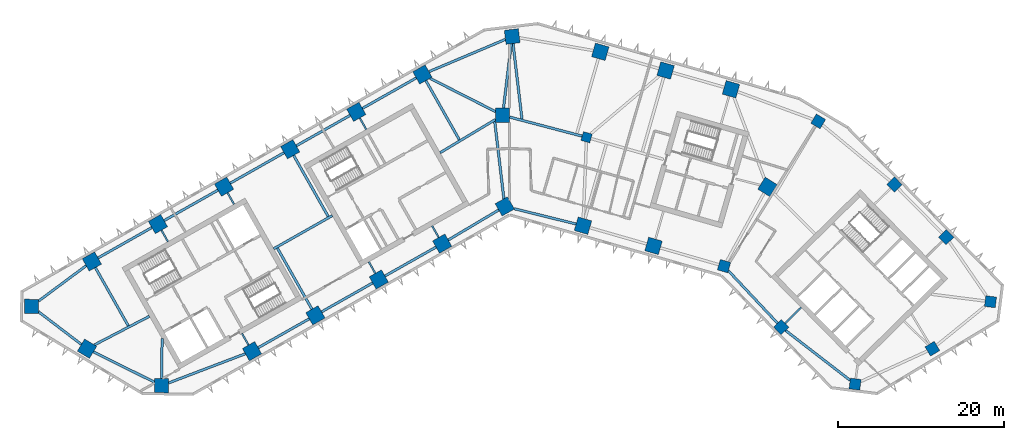
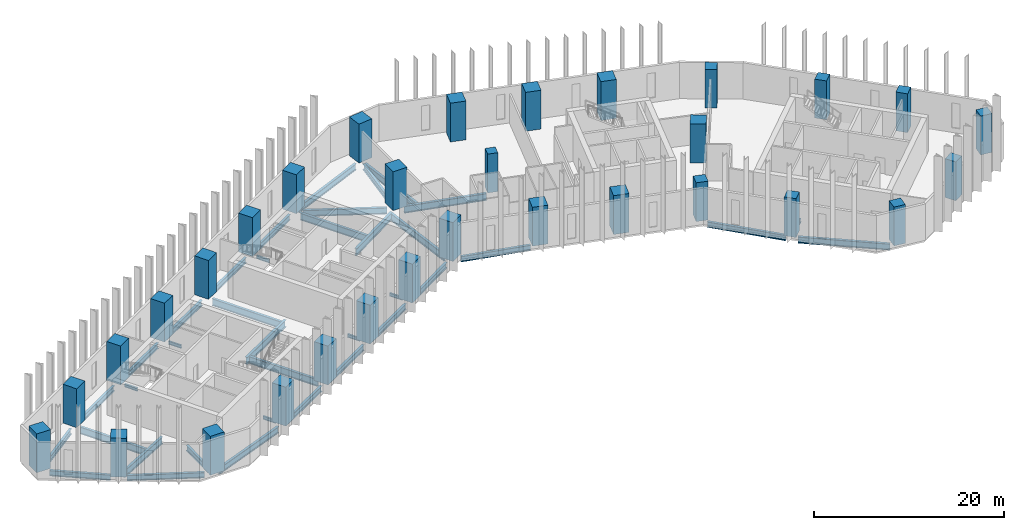
# One storey, part 1 of 11: 37 beams, 31 columns.
"""IFC4 building model written with IfcOpenShell, lengths in metres."""

import ifcopenshell
import ifcopenshell.guid

model = None  # the IFC model being written
_history = None  # IfcOwnerHistory: only IFC2X3 demands one
_inside = {}  # id of a spatial element -> (the spatial element, [elements in it])
_under = {}  # id of a project, library or spatial element -> (it, [spatial elements below it])
_declared = {}  # id of a project -> (the project, [libraries it declares])
_typed = {}  # id of a type object -> (the type object, [elements of that type])
_made_of = {}  # id of a material, layer set ... -> (it, [elements and type objects made of it])


def new_model(schema):
    """Start an empty IFC model of exactly this schema.

    Asked for "IFC4X3", IfcOpenShell would pick the latest addendum, in which some entities
    have other attributes; the version numbers below select the first issue.
    IFC2X3 requires an IfcOwnerHistory on every rooted entity: one is made here for all.
    """
    global model, _history
    if schema == "IFC4X3":
        model = ifcopenshell.file(schema_version=(4, 3, 0, 0))
    else:
        model = ifcopenshell.file(schema=schema)
    _inside.clear()
    _under.clear()
    _declared.clear()
    _typed.clear()
    _made_of.clear()
    _history = None
    if model.schema == "IFC2X3":
        org = make("IfcOrganization", Name="unknown")
        user = make(
            "IfcPersonAndOrganization",
            ThePerson=make("IfcPerson", FamilyName="unknown"),
            TheOrganization=org,
        )
        app = make(
            "IfcApplication",
            ApplicationDeveloper=org,
            Version="unknown",
            ApplicationFullName="unknown",
            ApplicationIdentifier="unknown",
        )
        _history = make(
            "IfcOwnerHistory",
            OwningUser=user,
            OwningApplication=app,
            ChangeAction="ADDED",
            CreationDate=0,
        )
    return model


def make(cls, **values):
    """One entity of the class cls with the attributes given. An attribute that is None is left unset."""
    return model.create_entity(
        cls, **{name: value for name, value in values.items() if value is not None}
    )


def rooted(cls, **values):
    """An entity with a GlobalId (a new one), such as an element, a storey or a relation."""
    return make(cls, GlobalId=ifcopenshell.guid.new(), OwnerHistory=_history, **values)


def si_unit(unit_type, name, prefix=None):
    """IfcSIUnit, for example si_unit("LENGTHUNIT", "METRE", prefix="MILLI")."""
    return make("IfcSIUnit", UnitType=unit_type, Prefix=prefix, Name=name)


def assignment(units):
    """IfcUnitAssignment: the units of a project."""
    return None if units is None else make("IfcUnitAssignment", Units=units)


def point(xyz):
    """IfcCartesianPoint."""
    return None if xyz is None else make("IfcCartesianPoint", Coordinates=xyz)


def direction(xyz):
    """IfcDirection."""
    return None if xyz is None else make("IfcDirection", DirectionRatios=xyz)


def frame(location, z_axis=None, x_axis=None):
    """IfcAxis2Placement3D, a coordinate frame: its origin and axes. An axis left out is left unset."""
    return make(
        "IfcAxis2Placement3D",
        Location=point(location),
        Axis=direction(z_axis),
        RefDirection=direction(x_axis),
    )


def frame_2d(location, x_axis=None):
    """IfcAxis2Placement2D, a coordinate frame in the plane: its origin and x axis."""
    return make(
        "IfcAxis2Placement2D", Location=point(location), RefDirection=direction(x_axis)
    )


def origin():
    """The frame at (0, 0, 0) with its axes left unset."""
    return frame((0.0, 0.0, 0.0))


def origin_2d():
    """The frame at (0, 0) in the plane with its x axis left unset."""
    return frame_2d((0.0, 0.0))


def place(relative_to, where):
    """IfcLocalPlacement: puts the frame where relative to a parent placement (None: the world)."""
    return make(
        "IfcLocalPlacement", PlacementRelTo=relative_to, RelativePlacement=where
    )


def context(
    kind, dimensions, precision=None, world=None, true_north=None, identifier=None
):
    """IfcGeometricRepresentationContext, for example the 3D "Model" context."""
    return make(
        "IfcGeometricRepresentationContext",
        ContextIdentifier=identifier,
        ContextType=kind,
        CoordinateSpaceDimension=dimensions,
        Precision=precision,
        WorldCoordinateSystem=world,
        TrueNorth=true_north,
    )


def subcontext(parent, identifier, kind, view, scale=None):
    """IfcGeometricRepresentationSubContext, for example "Body" below "Model"."""
    return make(
        "IfcGeometricRepresentationSubContext",
        ContextIdentifier=identifier,
        ContextType=kind,
        ParentContext=parent,
        TargetScale=scale,
        TargetView=view,
    )


def project(units=None, contexts=None):
    """IfcProject with its units and contexts."""
    return rooted(
        "IfcProject",
        Name="project",
        RepresentationContexts=contexts,
        UnitsInContext=assignment(units),
    )


def spatial(cls, under=None, at=None, **own):
    """A site, building, storey or space (cls), placed at a placement, below another one or the project."""
    s = rooted(cls, ObjectPlacement=at, **own)
    if under is not None:
        _under.setdefault(under.id(), (under, []))[1].append(s)
    return s


def profile(cls, at=None, kind="AREA", **sizes):
    """A parametric profile (cls). Its sizes go by their IFC names, for example OverallWidth=200.0."""
    return make(cls, ProfileType=kind, Position=at, **sizes)


def rectangle(**sizes):
    """IfcRectangleProfileDef."""
    return profile("IfcRectangleProfileDef", **sizes)


def i_section(**sizes):
    """IfcIShapeProfileDef."""
    return profile("IfcIShapeProfileDef", **sizes)


def extrude(swept, where, along, depth):
    """IfcExtrudedAreaSolid: the profile swept, set in the frame where, extruded along a direction by depth."""
    return make(
        "IfcExtrudedAreaSolid",
        SweptArea=swept,
        Position=where,
        ExtrudedDirection=direction(along),
        Depth=depth,
    )


def shape(context_of_items, identifier, shape_type, items):
    """IfcShapeRepresentation: the items that make up one representation, for example the "Body"."""
    return make(
        "IfcShapeRepresentation",
        ContextOfItems=context_of_items,
        RepresentationIdentifier=identifier,
        RepresentationType=shape_type,
        Items=items,
    )


def material(Name=None, Category=None):
    """IfcMaterial."""
    return make("IfcMaterial", Name=Name, Category=Category)


def material_profile(
    of_material, cross_section, Name=None, Category=None, Priority=None
):
    """IfcMaterialProfile: a cross section and its material."""
    return make(
        "IfcMaterialProfile",
        Name=Name,
        Material=of_material,
        Profile=cross_section,
        Priority=Priority,
        Category=Category,
    )


def profile_set(profiles, Name=None, composite=None):
    """IfcMaterialProfileSet."""
    return make(
        "IfcMaterialProfileSet",
        Name=Name,
        MaterialProfiles=profiles,
        CompositeProfile=composite,
    )


def made_of(thing, what):
    """Note that an element or type object is made of a material, layer set ...; save() writes the relation."""
    if what is not None:
        _made_of.setdefault(what.id(), (what, []))[1].append(thing)
    return thing


def type_object(cls, material=None, **own):
    """A type object (cls), such as IfcWallType, which elements share."""
    return made_of(rooted(cls, **own), material)


def element(
    cls,
    number,
    at=None,
    inside=None,
    cuts=None,
    type_object=None,
    material=None,
    context=None,
    identifier="Body",
    shape_type=None,
    held_by="IfcProductDefinitionShape",
    body=None,
    shapes=None,
    **own,
):
    """One element of the class cls, such as IfcWall. Its Tag is "e" and its number.

    at: its placement. inside: the storey or other place that contains it. cuts: it is an
    opening in that element (IfcRelVoidsElement). A single representation is given by context,
    identifier, shape_type and body (its items); several are given by shapes. held_by: the class
    of the entity that holds the representations. save() writes the other relations.
    """
    e = rooted(cls, Tag="e%d" % number, ObjectPlacement=at, **own)
    if body is not None:
        shapes = [shape(context, identifier, shape_type, body)]
    if shapes is not None:
        e.Representation = make(held_by, Representations=shapes)
    if inside is not None:
        _inside.setdefault(inside.id(), (inside, []))[1].append(e)
    if cuts is not None:
        rooted(
            "IfcRelVoidsElement", RelatingBuildingElement=cuts, RelatedOpeningElement=e
        )
    if type_object is not None:
        _typed.setdefault(type_object.id(), (type_object, []))[1].append(e)
    return made_of(e, material)


def aggregate(whole, parts):
    """IfcRelAggregates: a whole, such as a stair, and the parts it consists of."""
    return rooted("IfcRelAggregates", RelatingObject=whole, RelatedObjects=parts)


def save(model, path):
    """Write the relations noted so far, then the file.

    IfcRelAggregates (storeys below a building ...), IfcRelContainedInSpatialStructure (elements
    in a storey), IfcRelDefinesByType, IfcRelAssociatesMaterial and IfcRelDeclares: one each for
    every whole, place, type object, material and project.
    """
    for whole, parts in _under.values():
        aggregate(whole, parts)
    for where, things in _inside.values():
        rooted(
            "IfcRelContainedInSpatialStructure",
            RelatedElements=things,
            RelatingStructure=where,
        )
    for kind, things in _typed.values():
        rooted("IfcRelDefinesByType", RelatedObjects=things, RelatingType=kind)
    for what, things in _made_of.values():
        rooted("IfcRelAssociatesMaterial", RelatedObjects=things, RelatingMaterial=what)
    for by, libraries in _declared.values():
        rooted("IfcRelDeclares", RelatingContext=by, RelatedDefinitions=libraries)
    model.write(path)


model = new_model("IFC4")

# Units and contexts
model_context = context("Model", 3, precision=1e-05, world=origin(), true_north=direction((0.0, 1.0)))
body_context = subcontext(model_context, "Body", "Model", "MODEL_VIEW")
ifc_project = project(units=[si_unit("LENGTHUNIT", "METRE"), si_unit("AREAUNIT", "SQUARE_METRE"), si_unit("VOLUMEUNIT", "CUBIC_METRE"), si_unit("PLANEANGLEUNIT", "RADIAN"), si_unit("MASSUNIT", "GRAM", prefix="KILO")], contexts=[model_context])

# Site, building, storey
site_placement = place(None, origin())
site = spatial("IfcSite", under=ifc_project, at=site_placement, CompositionType="ELEMENT")
building_placement = place(site_placement, origin())
building = spatial("IfcBuilding", under=site, at=building_placement, Name="Binnacle Exchange Tower", CompositionType="ELEMENT")
storey_placement = place(building_placement, frame((0.0, 0.0, 36.5)))
storey = spatial("IfcBuildingStorey", under=building, at=storey_placement, Name="L07", CompositionType="ELEMENT", Elevation=36.5)

# Columns
ifc_material_1 = material(Name="Concrete C60/75", Category="concrete")
ifc_material_profile_1 = material_profile(ifc_material_1, rectangle(XDim=1.10009765625, YDim=1.10009765625, at=origin_2d()), Name="Column 1100x1100 C60/75")
ifc_profile_set_1 = profile_set([ifc_material_profile_1], Name="Concrete C60/75")
column_type_1 = type_object("IfcColumnType", Name="Column 1100x1100 C60/75", PredefinedType="COLUMN", material=ifc_profile_set_1)
column_placement = place(storey_placement, frame((9.240966796875, 57.35009765625, 0.0), z_axis=(0.0, 0.0, 1.0), x_axis=(0.961261695938, -0.275637355817, 0.0)))
element("IfcColumn", 1, at=column_placement, inside=storey, type_object=column_type_1, Name="S:COL:C19:L07", PredefinedType="COLUMN", context=body_context, shape_type="SweptSolid", body=[
    extrude(rectangle(XDim=1.10009765625, YDim=1.10009765625, at=origin_2d()), origin(), (0.0, 0.0, 1.0), 5.0),
])
ifc_material_2 = material(Name="Concrete C70/85", Category="concrete")
ifc_material_profile_2 = material_profile(ifc_material_2, rectangle(XDim=1.300048828125, YDim=1.300048828125, at=origin_2d()), Name="Mega column 1300x1300 C70/85")
ifc_profile_set_2 = profile_set([ifc_material_profile_2], Name="Concrete C70/85")
column_type_2 = type_object("IfcColumnType", Name="Mega column 1300x1300 C70/85", PredefinedType="COLUMN", material=ifc_profile_set_2)
for number, where, z_axis, x_axis, name in (
    (2, (37.0849609375, 59.262451171875, 0.0), (0.0, 0.0, 1.0), (-0.859406411501, 0.511293086077, 0.0), "S:COL:MC57:L07"),
    (3, (25.766845703125, 41.85986328125, 0.0), (0.0, 0.0, 1.0), (0.961261695938, -0.275637355817, 0.0), "S:COL:MC56:L07"),
    (4, (32.64111328125, 34.530029296875, 0.0), (0.0, 0.0, 1.0), (0.7009092643, -0.713250449154, 0.0), "S:COL:MC59:L07"),
    (5, (41.519775390625, 27.6748046875, 0.0), (0.0, 0.0, 1.0), (0.99200494968, -0.126198969136, 0.0), "S:COL:MC61:L07"),
    (6, (50.81201171875, 31.930908203125, 0.0), (0.0, 0.0, 1.0), (0.857167300702, 0.51503807491, 0.0), "S:COL:MC63:L07"),
    (7, (57.799072265625, 37.5810546875, 0.0), (0.0, 0.0, 1.0), (0.126198969136, 0.99200494968, 0.0), "S:COL:MC62:L07"),
    (8, (52.466796875, 45.33935546875, 0.0), (0.0, 0.0, 1.0), (-0.7009092643, 0.713250449154, 0.0), "S:COL:MC60:L07"),
    (9, (46.248291015625, 51.667236328125, 0.0), (0.0, 0.0, 1.0), (-0.7009092643, 0.713250449154, 0.0), "S:COL:MC58:L07"),
):
    element("IfcColumn", number, at=place(storey_placement, frame(where, z_axis=z_axis, x_axis=x_axis)), inside=storey, type_object=column_type_2, Name=name, PredefinedType="COLUMN", context=body_context, shape_type="SweptSolid", body=[
        extrude(rectangle(XDim=1.300048828125, YDim=1.300048828125, at=origin_2d()), origin(), (0.0, 0.0, 1.0), 5.0),
    ])
ifc_material_profile_3 = material_profile(ifc_material_2, rectangle(XDim=1.699951171875, YDim=1.699951171875, at=origin_2d()), Name="Mega column 1700x1700 C70/85")
ifc_profile_set_3 = profile_set([ifc_material_profile_3], Name="Concrete C70/85")
column_type_3 = type_object("IfcColumnType", Name="Mega column 1700x1700 C70/85", PredefinedType="COLUMN", material=ifc_profile_set_3)
for number, where, z_axis, x_axis, name in (
    (10, (26.602783203125, 63.12353515625, 0.0), (0.0, 0.0, 1.0), (-0.961261695938, 0.275637355817, 0.0), "S:COL:MC52:L07"),
    (11, (18.746337890625, 65.376220703125, 0.0), (0.0, 0.0, 1.0), (-0.961261695938, 0.275637355817, 0.0), "S:COL:MC50:L07"),
    (12, (10.889892578125, 67.62890625, 0.0), (0.0, 0.0, 1.0), (-0.961261695938, 0.275637355817, 0.0), "S:COL:MC48:L07"),
    (13, (0.300048828125, 69.464111328125, 0.0), (0.0, 0.0, 1.0), (-0.993068456955, -0.117537397458, 0.0), "S:COL:MC47:L07"),
    (14, (-10.4951171875, 64.901611328125, 0.0), (0.0, 0.0, 1.0), (-0.87035569594, -0.492423560103, 0.0), "S:COL:MC38:L07"),
    (15, (-18.44140625, 60.406005859375, 0.0), (0.0, 0.0, 1.0), (-0.87035569594, -0.492423560103, 0.0), "S:COL:MC29:L07"),
    (16, (-26.3876953125, 55.91015625, 0.0), (0.0, 0.0, 1.0), (-0.87035569594, -0.492423560103, 0.0), "S:COL:MC21:L07"),
    (17, (-34.333740234375, 51.414306640625, 0.0), (0.0, 0.0, 1.0), (-0.87035569594, -0.492423560103, 0.0), "S:COL:MC13:L07"),
    (18, (-42.280029296875, 46.918701171875, 0.0), (0.0, 0.0, 1.0), (-0.87035569594, -0.492423560103, 0.0), "S:COL:MC08:L07"),
    (19, (-50.226318359375, 42.4228515625, 0.0), (0.0, 0.0, 1.0), (-0.87035569594, -0.492423560103, 0.0), "S:COL:MC04:L07"),
    (20, (-57.492919921875, 37.02734375, 0.0), (0.0, 0.0, 1.0), (-0.013089595571, -0.999914327574, 0.0), "S:COL:MC02:L07"),
    (21, (-50.81201171875, 31.930908203125, 0.0), (0.0, 0.0, 1.0), (0.857167300702, -0.51503807491, 0.0), "S:COL:MC01:L07"),
    (22, (-41.857666015625, 27.494873046875, 0.0), (0.0, 0.0, 1.0), (0.999914327574, -0.013089595571, 0.0), "S:COL:MC03:L07"),
    (23, (-30.9755859375, 31.63525390625, 0.0), (0.0, 0.0, 1.0), (0.87035569594, 0.492423560103, 0.0), "S:COL:MC07:L07"),
    (24, (-23.35595703125, 35.9462890625, 0.0), (0.0, 0.0, 1.0), (0.87035569594, 0.492423560103, 0.0), "S:COL:MC16:L07"),
    (25, (-15.736328125, 40.257080078125, 0.0), (0.0, 0.0, 1.0), (0.87035569594, 0.492423560103, 0.0), "S:COL:MC24:L07"),
    (26, (-8.116943359375, 44.568115234375, 0.0), (0.0, 0.0, 1.0), (0.87035569594, 0.492423560103, 0.0), "S:COL:MC35:L07"),
    (27, (-0.5908203125, 49.04443359375, 0.0), (0.0, 0.0, 1.0), (0.87035569594, 0.492423560103, 0.0), "S:COL:MC46:L07"),
    (28, (8.8095703125, 46.722412109375, 0.0), (0.0, 0.0, 1.0), (0.961261695938, -0.275637355817, 0.0), "S:COL:MC49:L07"),
    (29, (17.2880859375, 44.291015625, 0.0), (0.0, 0.0, 1.0), (0.961261695938, -0.275637355817, 0.0), "S:COL:MC51:L07"),
    (30, (30.989501953125, 51.38623046875, 0.0), (0.0, 0.0, 1.0), (0.529919264233, 0.848048096156, 0.0), "S:COL:MC55:L07"),
    (31, (-0.85009765625, 60.0, 0.0), (0.0, 0.0, 1.0), (0.0, 1.0, 0.0), "S:COL:MC45:L07"),
):
    element("IfcColumn", number, at=place(storey_placement, frame(where, z_axis=z_axis, x_axis=x_axis)), inside=storey, type_object=column_type_3, Name=name, PredefinedType="COLUMN", context=body_context, shape_type="SweptSolid", body=[
        extrude(rectangle(XDim=1.699951171875, YDim=1.699951171875, at=origin_2d()), origin(), (0.0, 0.0, 1.0), 5.0),
    ])

# Beams
ifc_material_3 = material(Name="Steel S355 (SHN355)", Category="steel")
ifc_material_profile_4 = material_profile(ifc_material_3, i_section(OverallWidth=0.300048828125, OverallDepth=0.699951171875, WebThickness=0.012939453125, FlangeThickness=0.02392578125, FilletRadius=0.028076171875, at=origin_2d()), Name="H 700x300x13x24")
ifc_profile_set_4 = profile_set([ifc_material_profile_4], Name="Steel S355 (SHN355)")
beam_type_1 = type_object("IfcBeamType", Name="Edge girder H 700x300x13x24 Steel S355 (SHN355)", PredefinedType="SPANDREL", material=ifc_profile_set_4)
beam_1_placement = place(storey_placement, frame((-56.6513671875, 36.38525390625, -0.669921875), z_axis=(0.795093040263, -0.606487474994, 0.0), x_axis=(0.606487474994, 0.795093040263, 0.0)))
element("IfcBeam", 32, at=beam_1_placement, inside=storey, type_object=beam_type_1, Name="S:BM:edge:L07:015", PredefinedType="SPANDREL", context=body_context, shape_type="SweptSolid", body=[
    extrude(i_section(OverallWidth=0.300048828125, OverallDepth=0.699951171875, WebThickness=0.012939453125, FlangeThickness=0.02392578125, FilletRadius=0.028076171875, at=origin_2d()), origin(), (0.0, 0.0, 1.0), 6.489013671875),
])
beam_2_placement = place(storey_placement, frame((-50.913818359375, 41.912353515625, -0.669921875), z_axis=(-0.80288535334, -0.59613346609, 0.0), x_axis=(0.59613346609, -0.80288535334, 0.0)))
element("IfcBeam", 33, at=beam_2_placement, inside=storey, type_object=beam_type_1, Name="S:BM:edge:L07:016", PredefinedType="SPANDREL", context=body_context, shape_type="SweptSolid", body=[
    extrude(i_section(OverallWidth=0.300048828125, OverallDepth=0.699951171875, WebThickness=0.012939453125, FlangeThickness=0.02392578125, FilletRadius=0.028076171875, at=origin_2d()), origin(), (0.0, 0.0, 1.0), 7.125244140625),
])
beam_3_placement = place(storey_placement, frame((-43.019775390625, 46.5, -0.669921875), z_axis=(-0.870364477798, -0.492408037898, 0.0), x_axis=(0.492408037898, -0.870364477798, 0.0)))
element("IfcBeam", 34, at=beam_3_placement, inside=storey, type_object=beam_type_1, Name="S:BM:edge:L07:018", PredefinedType="SPANDREL", context=body_context, shape_type="SweptSolid", body=[
    extrude(i_section(OverallWidth=0.300048828125, OverallDepth=0.699951171875, WebThickness=0.012939453125, FlangeThickness=0.02392578125, FilletRadius=0.028076171875, at=origin_2d()), origin(), (0.0, 0.0, 1.0), 7.4296875),
])
beam_4_placement = place(storey_placement, frame((-35.073486328125, 50.995849609375, -0.669921875), z_axis=(-0.870372444894, -0.492393955253, 0.0), x_axis=(0.492393955253, -0.870372444894, 0.0)))
element("IfcBeam", 35, at=beam_4_placement, inside=storey, type_object=beam_type_1, Name="S:BM:edge:L07:020", PredefinedType="SPANDREL", context=body_context, shape_type="SweptSolid", body=[
    extrude(i_section(OverallWidth=0.300048828125, OverallDepth=0.699951171875, WebThickness=0.012939453125, FlangeThickness=0.02392578125, FilletRadius=0.028076171875, at=origin_2d()), origin(), (0.0, 0.0, 1.0), 7.429931640625),
])
beam_5_placement = place(storey_placement, frame((-30.23583984375, 32.053955078125, -0.669921875), z_axis=(0.870373276953, 0.492392484473, 0.0), x_axis=(-0.492392484473, 0.870373276953, 0.0)))
element("IfcBeam", 36, at=beam_5_placement, inside=storey, type_object=beam_type_1, Name="S:BM:edge:L07:021", PredefinedType="SPANDREL", context=body_context, shape_type="SweptSolid", body=[
    extrude(i_section(OverallWidth=0.300048828125, OverallDepth=0.699951171875, WebThickness=0.012939453125, FlangeThickness=0.02392578125, FilletRadius=0.028076171875, at=origin_2d()), origin(), (0.0, 0.0, 1.0), 7.0546875),
])
beam_6_placement = place(storey_placement, frame((-27.12744140625, 55.49169921875, -0.669921875), z_axis=(-0.870350394687, -0.492432929919, 0.0), x_axis=(0.492432929919, -0.870350394687, 0.0)))
element("IfcBeam", 37, at=beam_6_placement, inside=storey, type_object=beam_type_1, Name="S:BM:edge:L07:022", PredefinedType="SPANDREL", context=body_context, shape_type="SweptSolid", body=[
    extrude(i_section(OverallWidth=0.300048828125, OverallDepth=0.699951171875, WebThickness=0.012939453125, FlangeThickness=0.02392578125, FilletRadius=0.028076171875, at=origin_2d()), origin(), (0.0, 0.0, 1.0), 7.429931640625),
])
beam_7_placement = place(storey_placement, frame((-22.6162109375, 36.36474609375, -0.669921875), z_axis=(0.870350053651, 0.492433532681, 0.0), x_axis=(-0.492433532681, 0.870350053651, 0.0)))
element("IfcBeam", 38, at=beam_7_placement, inside=storey, type_object=beam_type_1, Name="S:BM:edge:L07:023", PredefinedType="SPANDREL", context=body_context, shape_type="SweptSolid", body=[
    extrude(i_section(OverallWidth=0.300048828125, OverallDepth=0.699951171875, WebThickness=0.012939453125, FlangeThickness=0.02392578125, FilletRadius=0.028076171875, at=origin_2d()), origin(), (0.0, 0.0, 1.0), 7.054443359375),
])
beam_8_placement = place(storey_placement, frame((-19.18115234375, 59.9873046875, -0.669921875), z_axis=(-0.870364477798, -0.492408037898, 0.0), x_axis=(0.492408037898, -0.870364477798, 0.0)))
element("IfcBeam", 39, at=beam_8_placement, inside=storey, type_object=beam_type_1, Name="S:BM:edge:L07:024", PredefinedType="SPANDREL", context=body_context, shape_type="SweptSolid", body=[
    extrude(i_section(OverallWidth=0.300048828125, OverallDepth=0.699951171875, WebThickness=0.012939453125, FlangeThickness=0.02392578125, FilletRadius=0.028076171875, at=origin_2d()), origin(), (0.0, 0.0, 1.0), 7.4296875),
])
beam_9_placement = place(storey_placement, frame((-14.99658203125, 40.67578125, -0.669921875), z_axis=(0.870364886025, 0.492407316329, 0.0), x_axis=(-0.492407316329, 0.870364886025, 0.0)))
element("IfcBeam", 40, at=beam_9_placement, inside=storey, type_object=beam_type_1, Name="S:BM:edge:L07:025", PredefinedType="SPANDREL", context=body_context, shape_type="SweptSolid", body=[
    extrude(i_section(OverallWidth=0.300048828125, OverallDepth=0.699951171875, WebThickness=0.012939453125, FlangeThickness=0.02392578125, FilletRadius=0.028076171875, at=origin_2d()), origin(), (0.0, 0.0, 1.0), 7.054443359375),
])
beam_10_placement = place(storey_placement, frame((-11.23486328125, 64.483154296875, -0.669921875), z_axis=(-0.870364477798, -0.492408037898, 0.0), x_axis=(0.492408037898, -0.870364477798, 0.0)))
element("IfcBeam", 41, at=beam_10_placement, inside=storey, type_object=beam_type_1, Name="S:BM:edge:L07:026", PredefinedType="SPANDREL", context=body_context, shape_type="SweptSolid", body=[
    extrude(i_section(OverallWidth=0.300048828125, OverallDepth=0.699951171875, WebThickness=0.012939453125, FlangeThickness=0.02392578125, FilletRadius=0.028076171875, at=origin_2d()), origin(), (0.0, 0.0, 1.0), 7.4296875),
])
beam_11_placement = place(storey_placement, frame((-7.38623046875, 45.002685546875, -0.669921875), z_axis=(0.859464815262, 0.511194905419, 0.0), x_axis=(-0.511194905419, 0.859464815262, 0.0)))
element("IfcBeam", 42, at=beam_11_placement, inside=storey, type_object=beam_type_1, Name="S:BM:edge:L07:027", PredefinedType="SPANDREL", context=body_context, shape_type="SweptSolid", body=[
    extrude(i_section(OverallWidth=0.300048828125, OverallDepth=0.699951171875, WebThickness=0.012939453125, FlangeThickness=0.02392578125, FilletRadius=0.028076171875, at=origin_2d()), origin(), (0.0, 0.0, 1.0), 7.056396484375),
])
beam_12_placement = place(storey_placement, frame((0.54443359375, 48.763916015625, -0.669921875), z_axis=(0.970818997342, -0.239813415805, 0.0), x_axis=(0.239813415805, 0.970818997342, 0.0)))
element("IfcBeam", 43, at=beam_12_placement, inside=storey, type_object=beam_type_1, Name="S:BM:edge:L07:029", PredefinedType="SPANDREL", context=body_context, shape_type="SweptSolid", body=[
    extrude(i_section(OverallWidth=0.300048828125, OverallDepth=0.699951171875, WebThickness=0.012939453125, FlangeThickness=0.02392578125, FilletRadius=0.028076171875, at=origin_2d()), origin(), (0.0, 0.0, 1.0), 7.662841796875),
])
ifc_material_profile_5 = material_profile(ifc_material_3, i_section(OverallWidth=0.302001953125, OverallDepth=0.7080078125, WebThickness=0.014892578125, FlangeThickness=0.028076171875, FilletRadius=0.028076171875, at=origin_2d()), Name="H 708x302x15x28")
ifc_profile_set_5 = profile_set([ifc_material_profile_5], Name="Steel S355 (SHN355)")
beam_type_2 = type_object("IfcBeamType", Name="Edge girder H 708x302x15x28 Steel S355 (SHN355)", PredefinedType="SPANDREL", material=ifc_profile_set_5)
beam_13_placement = place(storey_placement, frame((-50.0478515625, 31.55224609375, -0.674072265625), z_axis=(0.896059216286, -0.443934545749, 0.0), x_axis=(0.443934545749, 0.896059216286, 0.0)))
element("IfcBeam", 44, at=beam_13_placement, inside=storey, type_object=beam_type_2, Name="S:BM:edge:L07:017", PredefinedType="SPANDREL", context=body_context, shape_type="SweptSolid", body=[
    extrude(i_section(OverallWidth=0.302001953125, OverallDepth=0.7080078125, WebThickness=0.014892578125, FlangeThickness=0.028076171875, FilletRadius=0.028076171875, at=origin_2d()), origin(), (0.0, 0.0, 1.0), 8.197509765625),
])
beam_14_placement = place(storey_placement, frame((26.284912109375, 41.3076171875, -0.674072265625), z_axis=(0.684056711164, -0.729428828544, 0.0), x_axis=(0.729428828544, 0.684056711164, 0.0)))
element("IfcBeam", 45, at=beam_14_placement, inside=storey, type_object=beam_type_2, Name="S:BM:edge:L07:035", PredefinedType="SPANDREL", context=body_context, shape_type="SweptSolid", body=[
    extrude(i_section(OverallWidth=0.302001953125, OverallDepth=0.7080078125, WebThickness=0.014892578125, FlangeThickness=0.028076171875, FilletRadius=0.028076171875, at=origin_2d()), origin(), (0.0, 0.0, 1.0), 8.6416015625),
])
ifc_material_profile_6 = material_profile(ifc_material_3, i_section(OverallWidth=0.302001953125, OverallDepth=0.80810546875, WebThickness=0.01611328125, FlangeThickness=0.030029296875, FilletRadius=0.028076171875, at=origin_2d()), Name="H 808x302x16x30")
ifc_profile_set_6 = profile_set([ifc_material_profile_6], Name="Steel S355 (SHN355)")
beam_type_3 = type_object("IfcBeamType", Name="Edge girder H 808x302x16x30 Steel S355 (SHN355)", PredefinedType="SPANDREL", material=ifc_profile_set_6)
beam_15_placement = place(storey_placement, frame((-41.00341796875, 27.81982421875, -0.72412109375), z_axis=(0.934628738252, 0.355624973297, 0.0), x_axis=(-0.355624973297, 0.934628738252, 0.0)))
element("IfcBeam", 46, at=beam_15_placement, inside=storey, type_object=beam_type_3, Name="S:BM:edge:L07:019", PredefinedType="SPANDREL", context=body_context, shape_type="SweptSolid", body=[
    extrude(i_section(OverallWidth=0.302001953125, OverallDepth=0.80810546875, WebThickness=0.01611328125, FlangeThickness=0.030029296875, FilletRadius=0.028076171875, at=origin_2d()), origin(), (0.0, 0.0, 1.0), 9.869384765625),
])
beam_16_placement = place(storey_placement, frame((-0.51513671875, 69.11962890625, -0.72412109375), z_axis=(-0.921111373297, -0.389299162578, 0.0), x_axis=(0.389299162578, -0.921111373297, 0.0)))
element("IfcBeam", 47, at=beam_16_placement, inside=storey, type_object=beam_type_3, Name="S:BM:edge:L07:028", PredefinedType="SPANDREL", context=body_context, shape_type="SweptSolid", body=[
    extrude(i_section(OverallWidth=0.302001953125, OverallDepth=0.80810546875, WebThickness=0.01611328125, FlangeThickness=0.030029296875, FilletRadius=0.028076171875, at=origin_2d()), origin(), (0.0, 0.0, 1.0), 9.978759765625),
])
beam_17_placement = place(storey_placement, frame((33.160400390625, 34.12890625, -0.72412109375), z_axis=(0.791533490776, -0.611125791454, 0.0), x_axis=(0.611125791454, 0.791533490776, 0.0)))
element("IfcBeam", 48, at=beam_17_placement, inside=storey, type_object=beam_type_3, Name="S:BM:edge:L07:036", PredefinedType="SPANDREL", context=body_context, shape_type="SweptSolid", body=[
    extrude(i_section(OverallWidth=0.302001953125, OverallDepth=0.80810546875, WebThickness=0.01611328125, FlangeThickness=0.030029296875, FilletRadius=0.028076171875, at=origin_2d()), origin(), (0.0, 0.0, 1.0), 9.80712890625),
])
ifc_material_profile_7 = material_profile(ifc_material_3, i_section(OverallWidth=0.199951171875, OverallDepth=0.39990234375, WebThickness=0.008056640625, FlangeThickness=0.012939453125, FilletRadius=0.01611328125, at=origin_2d()), Name="H 400x200x8x13")
ifc_profile_set_7 = profile_set([ifc_material_profile_7], Name="Steel S355 (SHN355)")
beam_type_4 = type_object("IfcBeamType", Name="Floor beam H 400x200x8x13 Steel S355 (SHN355)", PredefinedType="BEAM", material=ifc_profile_set_7)
beam_18_placement = place(storey_placement, frame((-41.861328125, 46.178955078125, -0.52001953125), z_axis=(0.492366981934, -0.870387703901, 0.0), x_axis=(0.870387703901, 0.492366981934, 0.0)))
element("IfcBeam", 49, at=beam_18_placement, inside=storey, type_object=beam_type_4, Name="S:BM:cross:L07:044", PredefinedType="BEAM", context=body_context, shape_type="SweptSolid", body=[
    extrude(i_section(OverallWidth=0.199951171875, OverallDepth=0.39990234375, WebThickness=0.008056640625, FlangeThickness=0.012939453125, FilletRadius=0.01611328125, at=origin_2d()), origin(), (0.0, 0.0, 1.0), 1.584228515625),
])
beam_19_placement = place(storey_placement, frame((-33.915283203125, 50.674560546875, -0.52001953125), z_axis=(0.492483715062, -0.870321659158, 0.0), x_axis=(0.870321659158, 0.492483715062, 0.0)))
element("IfcBeam", 50, at=beam_19_placement, inside=storey, type_object=beam_type_4, Name="S:BM:cross:L07:046", PredefinedType="BEAM", context=body_context, shape_type="SweptSolid", body=[
    extrude(i_section(OverallWidth=0.199951171875, OverallDepth=0.39990234375, WebThickness=0.008056640625, FlangeThickness=0.012939453125, FilletRadius=0.01611328125, at=origin_2d()), origin(), (0.0, 0.0, 1.0), 1.58447265625),
])
for number, where, z_axis, x_axis, name in (
    (51, (-31.394287109375, 32.375, -0.52001953125), (-0.492366981934, 0.870387703901, 0.0), (-0.870387703901, -0.492366981934, 0.0), "S:BM:cross:L07:047"),
    (52, (-18.022705078125, 59.666259765625, -0.52001953125), (0.492366981934, -0.870387703901, 0.0), (0.870387703901, 0.492366981934, 0.0), "S:BM:cross:L07:050"),
    (53, (-16.155029296875, 40.9970703125, -0.52001953125), (-0.492366981934, 0.870387703901, 0.0), (-0.870387703901, -0.492366981934, 0.0), "S:BM:cross:L07:051"),
):
    element("IfcBeam", number, at=place(storey_placement, frame(where, z_axis=z_axis, x_axis=x_axis)), inside=storey, type_object=beam_type_4, Name=name, PredefinedType="BEAM", context=body_context, shape_type="SweptSolid", body=[
        extrude(i_section(OverallWidth=0.199951171875, OverallDepth=0.39990234375, WebThickness=0.008056640625, FlangeThickness=0.012939453125, FilletRadius=0.01611328125, at=origin_2d()), origin(), (0.0, 0.0, 1.0), 1.584228515625),
    ])
beam_20_placement = place(storey_placement, frame((-8.535400390625, 45.307861328125, -0.52001953125), z_axis=(-0.492483715062, 0.870321659158, 0.0), x_axis=(-0.870321659158, -0.492483715062, 0.0)))
element("IfcBeam", 54, at=beam_20_placement, inside=storey, type_object=beam_type_4, Name="S:BM:cross:L07:053", PredefinedType="BEAM", context=body_context, shape_type="SweptSolid", body=[
    extrude(i_section(OverallWidth=0.199951171875, OverallDepth=0.39990234375, WebThickness=0.008056640625, FlangeThickness=0.012939453125, FilletRadius=0.01611328125, at=origin_2d()), origin(), (0.0, 0.0, 1.0), 1.58447265625),
])
ifc_material_profile_8 = material_profile(ifc_material_3, i_section(OverallWidth=0.199951171875, OverallDepth=0.449951171875, WebThickness=0.009033203125, FlangeThickness=0.013916015625, FilletRadius=0.01806640625, at=origin_2d()), Name="H 450x200x9x14")
ifc_profile_set_8 = profile_set([ifc_material_profile_8], Name="Steel S355 (SHN355)")
beam_type_5 = type_object("IfcBeamType", Name="Floor beam H 450x200x9x14 Steel S355 (SHN355)", PredefinedType="BEAM", material=ifc_profile_set_8)
beam_21_placement = place(storey_placement, frame((33.104736328125, 34.985595703125, -0.544921875), z_axis=(0.713254209224, 0.700905438004, 0.0), x_axis=(-0.700905438004, 0.713254209224, 0.0)))
element("IfcBeam", 55, at=beam_21_placement, inside=storey, type_object=beam_type_5, Name="S:BM:cross:L07:061", PredefinedType="BEAM", context=body_context, shape_type="SweptSolid", body=[
    extrude(i_section(OverallWidth=0.199951171875, OverallDepth=0.449951171875, WebThickness=0.009033203125, FlangeThickness=0.013916015625, FilletRadius=0.01806640625, at=origin_2d()), origin(), (0.0, 0.0, 1.0), 2.70849609375),
])
ifc_material_profile_9 = material_profile(ifc_material_3, i_section(OverallWidth=0.300048828125, OverallDepth=0.699951171875, WebThickness=0.012939453125, FlangeThickness=0.02392578125, FilletRadius=0.028076171875, at=origin_2d()), Name="H 700x300x13x24")
ifc_profile_set_9 = profile_set([ifc_material_profile_9], Name="Steel S355 (SHN355)")
beam_type_6 = type_object("IfcBeamType", Name="Floor beam H 700x300x13x24 Steel S355 (SHN355)", PredefinedType="BEAM", material=ifc_profile_set_9)
beam_22_placement = place(storey_placement, frame((-41.8466796875, 28.3447265625, -0.669921875), z_axis=(0.013120628196, 0.999913920853, 0.0), x_axis=(-0.999913920853, 0.013120628196, 0.0)))
element("IfcBeam", 56, at=beam_22_placement, inside=storey, type_object=beam_type_6, Name="S:BM:cross:L07:045", PredefinedType="BEAM", context=body_context, shape_type="SweptSolid", body=[
    extrude(i_section(OverallWidth=0.300048828125, OverallDepth=0.699951171875, WebThickness=0.012939453125, FlangeThickness=0.02392578125, FilletRadius=0.028076171875, at=origin_2d()), origin(), (0.0, 0.0, 1.0), 4.80078125),
])
ifc_material_profile_10 = material_profile(ifc_material_3, i_section(OverallWidth=0.300048828125, OverallDepth=0.89990234375, WebThickness=0.01611328125, FlangeThickness=0.028076171875, FilletRadius=0.028076171875, at=origin_2d()), Name="H 900x300x16x28")
ifc_profile_set_10 = profile_set([ifc_material_profile_10], Name="Steel S355 (SHN355)")
beam_type_7 = type_object("IfcBeamType", Name="Floor beam H 900x300x16x28 Steel S355 (SHN355)", PredefinedType="BEAM", material=ifc_profile_set_10)
beam_23_placement = place(storey_placement, frame((-49.8076171875, 41.68310546875, -0.77001953125), z_axis=(0.492423370769, -0.87035580306, 0.0), x_axis=(0.87035580306, 0.492423370769, 0.0)))
element("IfcBeam", 57, at=beam_23_placement, inside=storey, type_object=beam_type_7, Name="S:BM:cross:L07:043", PredefinedType="BEAM", context=body_context, shape_type="SweptSolid", body=[
    extrude(i_section(OverallWidth=0.300048828125, OverallDepth=0.89990234375, WebThickness=0.01611328125, FlangeThickness=0.028076171875, FilletRadius=0.028076171875, at=origin_2d()), origin(), (0.0, 0.0, 1.0), 8.041259765625),
])
beam_24_placement = place(storey_placement, frame((-10.076416015625, 64.161865234375, -0.77001953125), z_axis=(0.492410737926, -0.870362950254, 0.0), x_axis=(0.870362950254, 0.492410737926, 0.0)))
element("IfcBeam", 58, at=beam_24_placement, inside=storey, type_object=beam_type_7, Name="S:BM:cross:L07:052", PredefinedType="BEAM", context=body_context, shape_type="SweptSolid", body=[
    extrude(i_section(OverallWidth=0.300048828125, OverallDepth=0.89990234375, WebThickness=0.01611328125, FlangeThickness=0.028076171875, FilletRadius=0.028076171875, at=origin_2d()), origin(), (0.0, 0.0, 1.0), 8.16943359375),
])
ifc_material_profile_11 = material_profile(ifc_material_3, i_section(OverallWidth=0.302001953125, OverallDepth=0.912109375, WebThickness=0.01806640625, FlangeThickness=0.033935546875, FilletRadius=0.028076171875, at=origin_2d()), Name="H 912x302x18x34")
ifc_profile_set_11 = profile_set([ifc_material_profile_11], Name="Steel S355 (SHN355)")
beam_type_8 = type_object("IfcBeamType", Name="Floor beam H 912x302x18x34 Steel S355 (SHN355)", PredefinedType="BEAM", material=ifc_profile_set_11)
for number, where, z_axis, x_axis, name in (
    (59, (-25.968994140625, 55.17041015625, -0.77587890625), (0.492409177884, -0.870363832851, 0.0), (0.870363832851, 0.492409177884, 0.0), "S:BM:cross:L07:048"),
    (60, (-23.774658203125, 36.68603515625, -0.77587890625), (-0.492409177884, 0.870363832851, 0.0), (-0.870363832851, -0.492409177884, 0.0), "S:BM:cross:L07:049"),
):
    element("IfcBeam", number, at=place(storey_placement, frame(where, z_axis=z_axis, x_axis=x_axis)), inside=storey, type_object=beam_type_8, Name=name, PredefinedType="BEAM", context=body_context, shape_type="SweptSolid", body=[
        extrude(i_section(OverallWidth=0.302001953125, OverallDepth=0.912109375, WebThickness=0.01806640625, FlangeThickness=0.033935546875, FilletRadius=0.028076171875, at=origin_2d()), origin(), (0.0, 0.0, 1.0), 8.43408203125),
    ])
ifc_material_profile_12 = material_profile(ifc_material_3, i_section(OverallWidth=0.302978515625, OverallDepth=0.91796875, WebThickness=0.01904296875, FlangeThickness=0.037109375, FilletRadius=0.028076171875, at=origin_2d()), Name="H 918x303x19x37")
ifc_profile_set_12 = profile_set([ifc_material_profile_12], Name="Steel S355 (SHN355)")
beam_type_9 = type_object("IfcBeamType", Name="Floor beam H 918x303x19x37 Steel S355 (SHN355)", PredefinedType="BEAM", material=ifc_profile_set_12)
beam_25_placement = place(storey_placement, frame((-0.69921875, 49.959716796875, -0.779052734375), z_axis=(-0.117528717449, 0.993069484263, 0.0), x_axis=(-0.993069484263, -0.117528717449, 0.0)))
element("IfcBeam", 61, at=beam_25_placement, inside=storey, type_object=beam_type_9, Name="S:BM:cross:L07:054", PredefinedType="BEAM", context=body_context, shape_type="SweptSolid", body=[
    extrude(i_section(OverallWidth=0.302978515625, OverallDepth=0.91796875, WebThickness=0.01904296875, FlangeThickness=0.037109375, FilletRadius=0.028076171875, at=origin_2d()), origin(), (0.0, 0.0, 1.0), 9.374755859375),
])
beam_26_placement = place(storey_placement, frame((0.39990234375, 68.6201171875, -0.779052734375), z_axis=(0.117562643201, -0.993065468599, 0.0), x_axis=(0.993065468599, 0.117562643201, 0.0)))
element("IfcBeam", 62, at=beam_26_placement, inside=storey, type_object=beam_type_9, Name="S:BM:cross:L07:055", PredefinedType="BEAM", context=body_context, shape_type="SweptSolid", body=[
    extrude(i_section(OverallWidth=0.302978515625, OverallDepth=0.91796875, WebThickness=0.01904296875, FlangeThickness=0.037109375, FilletRadius=0.028076171875, at=origin_2d()), origin(), (0.0, 0.0, 1.0), 9.14990234375),
])
ifc_material_profile_13 = material_profile(ifc_material_3, i_section(OverallWidth=0.302001953125, OverallDepth=0.7080078125, WebThickness=0.014892578125, FlangeThickness=0.028076171875, FilletRadius=0.028076171875, at=origin_2d()), Name="H 708x302x15x28")
ifc_profile_set_13 = profile_set([ifc_material_profile_13], Name="Steel S355 (SHN355)")
beam_type_10 = type_object("IfcBeamType", Name="Spine girder H 708x302x15x28 Steel S355 (SHN355)", PredefinedType="BEAM", material=ifc_profile_set_13)
beam_27_placement = place(storey_placement, frame((-0.74658203125, 60.85009765625, -0.674072265625), z_axis=(0.120621974738, 0.992698513755, 0.0), x_axis=(-0.992698513755, 0.120621974738, 0.0)))
element("IfcBeam", 63, at=beam_27_placement, inside=storey, type_object=beam_type_10, Name="S:BM:spine:L07:005", PredefinedType="BEAM", context=body_context, shape_type="SweptSolid", body=[
    extrude(i_section(OverallWidth=0.302001953125, OverallDepth=0.7080078125, WebThickness=0.014892578125, FlangeThickness=0.028076171875, FilletRadius=0.028076171875, at=origin_2d()), origin(), (0.0, 0.0, 1.0), 7.802490234375),
])
ifc_material_profile_14 = material_profile(ifc_material_3, i_section(OverallWidth=0.302001953125, OverallDepth=0.80810546875, WebThickness=0.01611328125, FlangeThickness=0.030029296875, FilletRadius=0.028076171875, at=origin_2d()), Name="H 808x302x16x30")
ifc_profile_set_14 = profile_set([ifc_material_profile_14], Name="Steel S355 (SHN355)")
beam_type_11 = type_object("IfcBeamType", Name="Spine girder H 808x302x16x30 Steel S355 (SHN355)", PredefinedType="BEAM", material=ifc_profile_set_14)
beam_28_placement = place(storey_placement, frame((-1.699951171875, 60.431884765625, -0.72412109375), z_axis=(-0.891471296315, 0.45307717648, 0.0), x_axis=(-0.45307717648, -0.891471296315, 0.0)))
element("IfcBeam", 64, at=beam_28_placement, inside=storey, type_object=beam_type_11, Name="S:BM:spine:L07:004", PredefinedType="BEAM", context=body_context, shape_type="SweptSolid", body=[
    extrude(i_section(OverallWidth=0.302001953125, OverallDepth=0.80810546875, WebThickness=0.01611328125, FlangeThickness=0.030029296875, FilletRadius=0.028076171875, at=origin_2d()), origin(), (0.0, 0.0, 1.0), 8.845703125),
])
ifc_material_profile_15 = material_profile(ifc_material_3, i_section(OverallWidth=0.300048828125, OverallDepth=0.89990234375, WebThickness=0.01611328125, FlangeThickness=0.028076171875, FilletRadius=0.028076171875, at=origin_2d()), Name="H 900x300x16x28")
ifc_profile_set_15 = profile_set([ifc_material_profile_15], Name="Steel S355 (SHN355)")
beam_type_12 = type_object("IfcBeamType", Name="Spine girder H 900x300x16x28 Steel S355 (SHN355)", PredefinedType="BEAM", material=ifc_profile_set_15)
beam_29_placement = place(storey_placement, frame((-49.927734375, 32.391357421875, -0.77001953125), z_axis=(0.886979965344, 0.461807904954, 0.0), x_axis=(-0.461807904954, 0.886979965344, 0.0)))
element("IfcBeam", 65, at=beam_29_placement, inside=storey, type_object=beam_type_12, Name="S:BM:spine:L07:001", PredefinedType="BEAM", context=body_context, shape_type="SweptSolid", body=[
    extrude(i_section(OverallWidth=0.300048828125, OverallDepth=0.89990234375, WebThickness=0.01611328125, FlangeThickness=0.028076171875, FilletRadius=0.028076171875, at=origin_2d()), origin(), (0.0, 0.0, 1.0), 7.463623046875),
])
beam_30_placement = place(storey_placement, frame((-8.36328125, 55.489990234375, -0.77001953125), z_axis=(0.857393122678, 0.514662057261, 0.0), x_axis=(-0.514662057261, 0.857393122678, 0.0)))
element("IfcBeam", 66, at=beam_30_placement, inside=storey, type_object=beam_type_12, Name="S:BM:spine:L07:003", PredefinedType="BEAM", context=body_context, shape_type="SweptSolid", body=[
    extrude(i_section(OverallWidth=0.300048828125, OverallDepth=0.89990234375, WebThickness=0.01611328125, FlangeThickness=0.028076171875, FilletRadius=0.028076171875, at=origin_2d()), origin(), (0.0, 0.0, 1.0), 7.771728515625),
])
ifc_material_profile_16 = material_profile(ifc_material_3, i_section(OverallWidth=0.302001953125, OverallDepth=0.912109375, WebThickness=0.01806640625, FlangeThickness=0.033935546875, FilletRadius=0.028076171875, at=origin_2d()), Name="H 912x302x18x34")
ifc_profile_set_16 = profile_set([ifc_material_profile_16], Name="Steel S355 (SHN355)")
beam_type_13 = type_object("IfcBeamType", Name="Spine girder H 912x302x18x34 Steel S355 (SHN355)", PredefinedType="BEAM", material=ifc_profile_set_16)
beam_31_placement = place(storey_placement, frame((-28.365478515625, 43.951416015625, -0.77587890625), z_axis=(0.870350319004, 0.492433063684, 0.0), x_axis=(-0.492433063684, 0.870350319004, 0.0)))
element("IfcBeam", 67, at=beam_31_placement, inside=storey, type_object=beam_type_13, Name="S:BM:spine:L07:002", PredefinedType="BEAM", context=body_context, shape_type="SweptSolid", body=[
    extrude(i_section(OverallWidth=0.302001953125, OverallDepth=0.912109375, WebThickness=0.01806640625, FlangeThickness=0.033935546875, FilletRadius=0.028076171875, at=origin_2d()), origin(), (0.0, 0.0, 1.0), 8.0908203125),
])
ifc_material_profile_17 = material_profile(ifc_material_3, i_section(OverallWidth=0.302978515625, OverallDepth=0.91796875, WebThickness=0.01904296875, FlangeThickness=0.037109375, FilletRadius=0.028076171875, at=origin_2d()), Name="H 918x303x19x37")
ifc_profile_set_17 = profile_set([ifc_material_profile_17], Name="Steel S355 (SHN355)")
beam_type_14 = type_object("IfcBeamType", Name="Spine girder H 918x303x19x37 Steel S355 (SHN355)", PredefinedType="BEAM", material=ifc_profile_set_17)
beam_32_placement = place(storey_placement, frame((0.0, 59.77685546875, -0.779052734375), z_axis=(0.967208571477, -0.253983423202, 0.0), x_axis=(0.253983423202, 0.967208571477, 0.0)))
element("IfcBeam", 68, at=beam_32_placement, inside=storey, type_object=beam_type_14, Name="S:BM:spine:L07:006", PredefinedType="BEAM", context=body_context, shape_type="SweptSolid", body=[
    extrude(i_section(OverallWidth=0.302978515625, OverallDepth=0.91796875, WebThickness=0.01904296875, FlangeThickness=0.037109375, FilletRadius=0.028076171875, at=origin_2d()), origin(), (0.0, 0.0, 1.0), 9.00390625),
])

save(model, "model.ifc")
